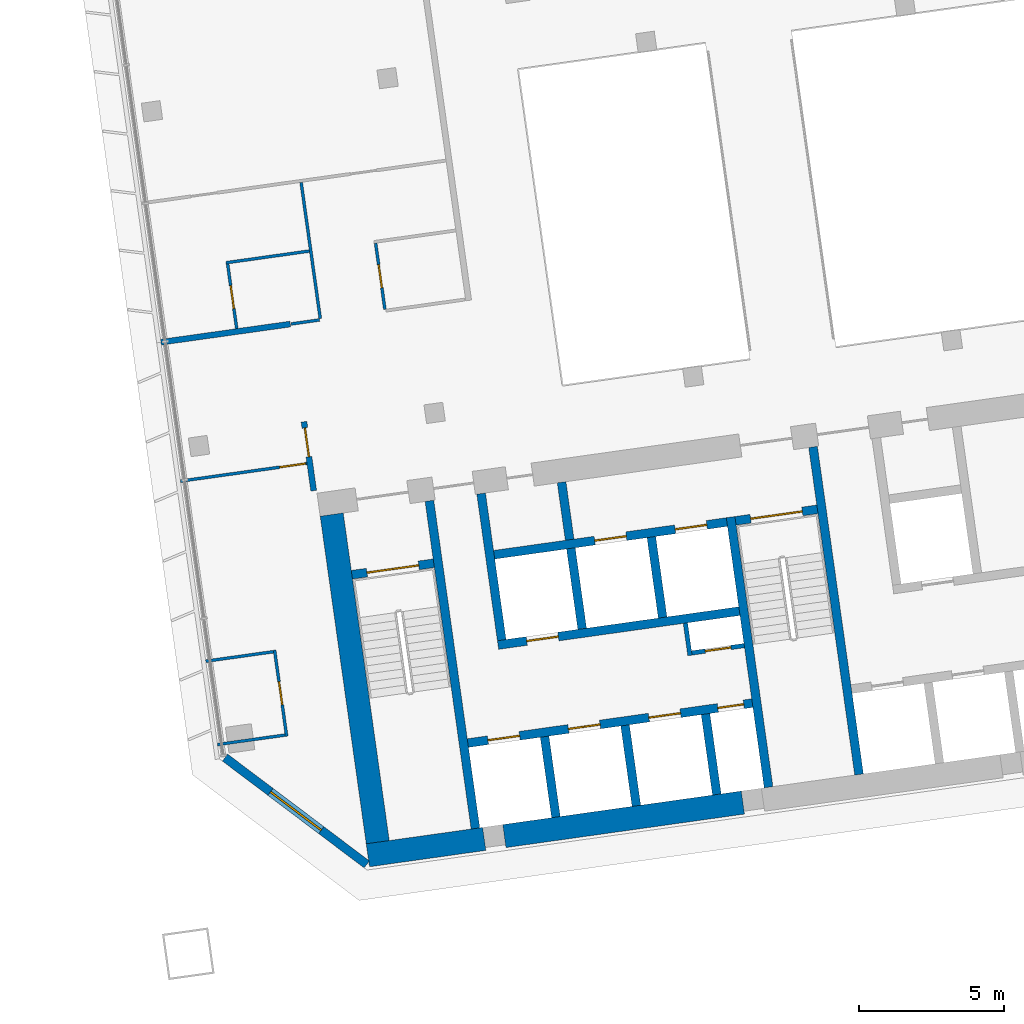
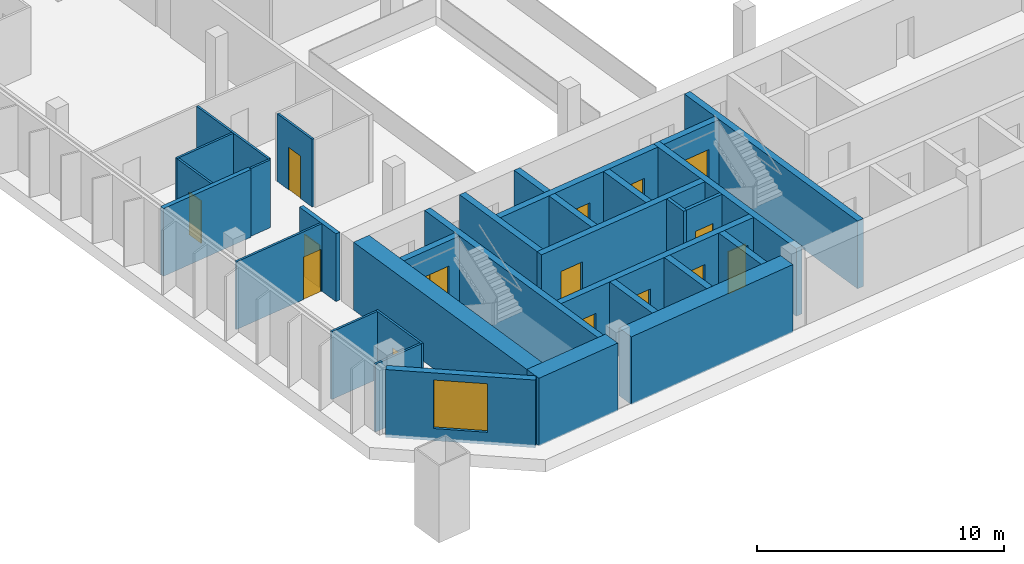
# One storey, part 18 of 24: 32 walls, 15 doors, 1 window, 16 openings.
"""IFC4 building model written with IfcOpenShell, lengths in metres."""

from ifc_helpers import new_model, si_unit, direction, frame, frame_2d, origin, place, context, subcontext, project, spatial, rectangle, extrude, material, layer, layer_set, type_object, element, fill, save


model = new_model("IFC4")

# Units and contexts
model_context = context("Model", 3, precision=1e-05, world=origin(), true_north=direction((0.0, 1.0)))
body_context = subcontext(model_context, "Body", "Model", "MODEL_VIEW")
ifc_project = project(units=[si_unit("LENGTHUNIT", "METRE"), si_unit("AREAUNIT", "SQUARE_METRE"), si_unit("VOLUMEUNIT", "CUBIC_METRE"), si_unit("PLANEANGLEUNIT", "RADIAN"), si_unit("MASSUNIT", "GRAM", prefix="KILO")], contexts=[model_context])

# Site, building, storey
site_placement = place(None, origin())
site = spatial("IfcSite", under=ifc_project, at=site_placement, CompositionType="ELEMENT")
building_placement = place(site_placement, origin())
building = spatial("IfcBuilding", under=site, at=building_placement, Name="Mirante Cascada Hotel Towers", CompositionType="ELEMENT")
storey_placement = place(building_placement, frame((0.0, 0.0, 110.1)))
storey = spatial("IfcBuildingStorey", under=building, at=storey_placement, Name="L24", CompositionType="ELEMENT", Elevation=110.1)

# Wall
ifc_material_1 = material(Name="Fire-rated plasterboard on metal studs")
ifc_layer_1 = layer(ifc_material_1, 0.2)
ifc_layer_set_1 = layer_set([ifc_layer_1], Name="Compartment wall 200 EI 120")
wall_type_1 = type_object("IfcWallType", Name="Compartment wall 200 EI 120", PredefinedType="PARTITIONING", material=ifc_layer_set_1)
wall_1_placement = place(storey_placement, frame((34.4562, -1.3737, 0.0), z_axis=(0.0, 0.0, 1.0), x_axis=(-0.9902674, -0.1391779, 0.0)))
element("IfcWall", 1, at=wall_1_placement, inside=storey, type_object=wall_type_1, Name="Wall 2-L24-08", PredefinedType="PARTITIONING", context=body_context, shape_type="SweptSolid", body=[
    extrude(rectangle(XDim=4.5, YDim=0.2, at=frame_2d((2.25, 0.0))), origin(), (0.0, 0.0, 1.0), 3.35),
])

# Wall, opening, door
wall_2_placement = place(storey_placement, frame((34.9294, -4.7406, 0.0), z_axis=(0.0, 0.0, 1.0), x_axis=(0.1391635, -0.9902694, 0.0)))
wall_2 = element("IfcWall", 2, at=wall_2_placement, inside=storey, type_object=wall_type_1, Name="Wall 2-L24-34", PredefinedType="PARTITIONING", context=body_context, shape_type="SweptSolid", body=[
    extrude(rectangle(XDim=2.4001, YDim=0.2, at=frame_2d((1.2, 0.0))), origin(), (0.0, 0.0, 1.0), 3.35),
])
opening_1_placement = place(wall_2_placement, frame((0.2167, 0.0, 0.0)))
opening_1 = element("IfcOpeningElement", 3, at=opening_1_placement, cuts=wall_2, Name="Opening D2-L24-28", PredefinedType="OPENING", context=body_context, shape_type="SweptSolid", body=[
    extrude(rectangle(XDim=1.0, YDim=2.1, at=frame_2d((0.5, 1.05))), frame((0.0, 0.1, 0.0), z_axis=(0.0, -1.0, 0.0), x_axis=(1.0, 0.0, 0.0)), (0.0, 0.0, 1.0), 0.2),
])
ifc_material_2 = material(Name="Fire-rated timber door leaf", Category="wood")
door_type_1 = type_object("IfcDoorType", Name="Entrance door DG1 1000x2100 EI 60", OperationType="SINGLE_SWING_LEFT", PredefinedType="DOOR", material=ifc_material_2)
door_1_placement = place(opening_1_placement, frame((1.0, 0.0, 0.0), z_axis=(0.0, 0.0, 1.0), x_axis=(-1.0, 0.0, 0.0)))
door_1 = element("IfcDoor", 4, at=door_1_placement, inside=storey, type_object=door_type_1, Name="Door D2-L24-28", OperationType="SINGLE_SWING_RIGHT", OverallHeight=2.1, OverallWidth=1.0, PredefinedType="DOOR", context=body_context, shape_type="SweptSolid", body=[
    extrude(rectangle(XDim=1.0, YDim=2.1, at=frame_2d((0.5, 1.05))), frame((0.0, 0.025, 0.0), z_axis=(0.0, -1.0, 0.0), x_axis=(1.0, 0.0, 0.0)), (0.0, 0.0, 1.0), 0.05),
])
fill(opening_1, door_1)

# Wall
ifc_material_3 = material(Name="Masonry block", Category="masonry")
ifc_layer_2 = layer(ifc_material_3, 0.15)
ifc_layer_set_2 = layer_set([ifc_layer_2], Name="Core room partition 150 block EI 30")
wall_type_2 = type_object("IfcWallType", Name="Core room partition 150 block EI 30", PredefinedType="PARTITIONING", material=ifc_layer_set_2)
wall_3_placement = place(storey_placement, frame((48.2295, -12.793, 0.0), z_axis=(0.0, 0.0, 1.0), x_axis=(-0.1391935, 0.9902652, 0.0)))
element("IfcWall", 5, at=wall_3_placement, inside=storey, type_object=wall_type_2, Name="Core wall partition T2 L24 2", PredefinedType="PARTITIONING", context=body_context, shape_type="SweptSolid", body=[
    extrude(rectangle(XDim=1.1251, YDim=0.15, at=frame_2d((0.5626, 0.0))), origin(), (0.0, 0.0, 1.0), 3.35),
])

# Wall, opening, door
wall_4_placement = place(storey_placement, frame((48.2933, -12.7083, 0.0), z_axis=(0.0, 0.0, 1.0), x_axis=(0.990268, 0.1391734, 0.0)))
wall_4 = element("IfcWall", 6, at=wall_4_placement, inside=storey, type_object=wall_type_2, Name="Core wall partition T2 L24 3", PredefinedType="PARTITIONING", context=body_context, shape_type="SweptSolid", body=[
    extrude(rectangle(XDim=1.8251, YDim=0.15, at=frame_2d((0.9126, 0.0))), origin(), (0.0, 0.0, 1.0), 3.35),
])
opening_2_placement = place(wall_4_placement, frame((0.4625, 0.0, 0.0)))
opening_2 = element("IfcOpeningElement", 7, at=opening_2_placement, cuts=wall_4, Name="Opening D2-24-C23", PredefinedType="OPENING", context=body_context, shape_type="SweptSolid", body=[
    extrude(rectangle(XDim=0.9, YDim=2.1, at=frame_2d((0.45, 1.05))), frame((0.0, 0.075, 0.0), z_axis=(0.0, -1.0, 0.0), x_axis=(1.0, 0.0, 0.0)), (0.0, 0.0, 1.0), 0.15),
])
ifc_material_4 = material(Name="Hollow metal fire door leaf")
door_type_2 = type_object("IfcDoorType", Name="Fire door 900x2100 FD60", OperationType="NOTDEFINED", PredefinedType="DOOR", material=ifc_material_4)
door_2_placement = place(opening_2_placement, frame((0.9, 0.0, 0.0), z_axis=(0.0, 0.0, 1.0), x_axis=(-1.0, 0.0, 0.0)))
door_2 = element("IfcDoor", 8, at=door_2_placement, inside=storey, type_object=door_type_2, Name="Riser door T2 L24 23", OperationType="SINGLE_SWING_RIGHT", OverallHeight=2.1, OverallWidth=0.9, PredefinedType="DOOR", context=body_context, shape_type="SweptSolid", body=[
    extrude(rectangle(XDim=0.9, YDim=2.1, at=frame_2d((0.45, 1.05))), frame((0.0, 0.025, 0.0), z_axis=(0.0, -1.0, 0.0), x_axis=(1.0, 0.0, 0.0)), (0.0, 0.0, 1.0), 0.05),
])
fill(opening_2, door_2)

# Walls
ifc_material_5 = material(Name="Masonry block", Category="masonry")
ifc_layer_3 = layer(ifc_material_5, 0.3)
ifc_layer_set_3 = layer_set([ifc_layer_3], Name="Core wall 300 block EI 120")
wall_type_3 = type_object("IfcWallType", Name="Core wall 300 block EI 120", PredefinedType="PARTITIONING", material=ifc_layer_set_3)
wall_5_placement = place(storey_placement, frame((44.0843, -8.8061, 0.0), z_axis=(0.0, 0.0, 1.0), x_axis=(-0.1391951, 0.990265, 0.0)))
element("IfcWall", 9, at=wall_5_placement, inside=storey, type_object=wall_type_3, Name="Core wall partition T2 L24 1", PredefinedType="PARTITIONING", context=body_context, shape_type="SweptSolid", body=[
    extrude(rectangle(XDim=2.0001, YDim=0.3, at=frame_2d((1.0001, 0.0))), origin(), (0.0, 0.0, 1.0), 3.35),
])
ifc_material_6 = material(Name="Plasterboard on metal studs")
ifc_layer_4 = layer(ifc_material_6, 0.1)
ifc_layer_set_4 = layer_set([ifc_layer_4], Name="Partition 100")
wall_type_4 = type_object("IfcWallType", Name="Partition 100", PredefinedType="PARTITIONING", material=ifc_layer_set_4)
for number, where, z_axis, x_axis, name in (
    (10, (34.2756, -15.5367, 0.0), (0.0, 0.0, 1.0), (-0.9902661, -0.139187, 0.0), "Wall 2-L24-02"),
    (11, (31.5448, -12.992, 0.0), (0.0, 0.0, 1.0), (0.9902661, 0.139187, 0.0), "Wall 2-L24-03"),
):
    element("IfcWall", number, at=place(storey_placement, frame(where, z_axis=z_axis, x_axis=x_axis)), inside=storey, type_object=wall_type_4, Name=name, PredefinedType="PARTITIONING", context=body_context, shape_type="SweptSolid", body=[
        extrude(rectangle(XDim=2.3501, YDim=0.1, at=frame_2d((1.175, 0.0))), origin(), (0.0, 0.0, 1.0), 3.35),
    ])

# Wall, opening, door
wall_6_placement = place(storey_placement, frame((35.0298, -6.1739, 0.0), z_axis=(0.0, 0.0, 1.0), x_axis=(-0.9902665, -0.1391841, 0.0)))
wall_6 = element("IfcWall", 12, at=wall_6_placement, inside=storey, type_object=wall_type_4, Name="Wall 2-L24-04", PredefinedType="PARTITIONING", context=body_context, shape_type="SweptSolid", body=[
    extrude(rectangle(XDim=4.3999, YDim=0.1, at=frame_2d((2.2, 0.0))), origin(), (0.0, 0.0, 1.0), 3.35),
])
opening_3_placement = place(wall_6_placement, frame((0.05, 0.0, 0.0)))
opening_3 = element("IfcOpeningElement", 13, at=opening_3_placement, cuts=wall_6, Name="Opening D2-L24-02", PredefinedType="OPENING", context=body_context, shape_type="SweptSolid", body=[
    extrude(rectangle(XDim=0.9, YDim=2.1, at=frame_2d((0.45, 1.05))), frame((0.0, 0.05, 0.0), z_axis=(0.0, -1.0, 0.0), x_axis=(1.0, 0.0, 0.0)), (0.0, 0.0, 1.0), 0.1),
])
ifc_material_7 = material(Name="Timber door leaf", Category="wood")
door_type_3 = type_object("IfcDoorType", Name="Room door DG3 900x2100", OperationType="SINGLE_SWING_LEFT", PredefinedType="DOOR", material=ifc_material_7)
door_3_placement = place(opening_3_placement, origin())
door_3 = element("IfcDoor", 14, at=door_3_placement, inside=storey, type_object=door_type_3, Name="Door D2-L24-02", OperationType="SINGLE_SWING_LEFT", OverallHeight=2.1, OverallWidth=0.9, PredefinedType="DOOR", context=body_context, shape_type="SweptSolid", body=[
    extrude(rectangle(XDim=0.9, YDim=2.1, at=frame_2d((0.45, 1.05))), frame((0.0, 0.025, 0.0), z_axis=(0.0, -1.0, 0.0), x_axis=(1.0, 0.0, 0.0)), (0.0, 0.0, 1.0), 0.05),
])
fill(opening_3, door_3)

# Walls
wall_7_placement = place(storey_placement, frame((34.4859, -1.3695, 0.0), z_axis=(0.0, 0.0, 1.0), x_axis=(0.9902801, 0.1390877, 0.0)))
element("IfcWall", 15, at=wall_7_placement, inside=storey, type_object=wall_type_4, Name="Wall 2-L24-09", PredefinedType="PARTITIONING", context=body_context, shape_type="SweptSolid", body=[
    extrude(rectangle(XDim=0.99, YDim=0.1, at=frame_2d((0.495, 0.0))), origin(), (0.0, 0.0, 1.0), 3.35),
])
wall_8_placement = place(storey_placement, frame((35.1125, 1.1421, 0.0), z_axis=(0.0, 0.0, 1.0), x_axis=(-0.9902683, -0.1391714, 0.0)))
element("IfcWall", 16, at=wall_8_placement, inside=storey, type_object=wall_type_4, Name="Wall 2-L24-12", PredefinedType="PARTITIONING", context=body_context, shape_type="SweptSolid", body=[
    extrude(rectangle(XDim=2.9, YDim=0.1, at=frame_2d((1.45, 0.0))), origin(), (0.0, 0.0, 1.0), 3.35),
])

# Wall, opening, door
wall_9_placement = place(storey_placement, frame((33.9145, -12.6084, 0.0), z_axis=(0.0, 0.0, 1.0), x_axis=(0.1391624, -0.9902696, 0.0)))
wall_9 = element("IfcWall", 17, at=wall_9_placement, inside=storey, type_object=wall_type_4, Name="Wall 2-L24-32", PredefinedType="PARTITIONING", context=body_context, shape_type="SweptSolid", body=[
    extrude(rectangle(XDim=3.0001, YDim=0.1, at=frame_2d((1.5001, 0.0))), origin(), (0.0, 0.0, 1.0), 3.35),
])
opening_4_placement = place(wall_9_placement, frame((1.1, 0.0, 0.0)))
opening_4 = element("IfcOpeningElement", 18, at=opening_4_placement, cuts=wall_9, Name="Opening D2-L24-26", PredefinedType="OPENING", context=body_context, shape_type="SweptSolid", body=[
    extrude(rectangle(XDim=0.8, YDim=2.1, at=frame_2d((0.4, 1.05))), frame((0.0, 0.05, 0.0), z_axis=(0.0, -1.0, 0.0), x_axis=(1.0, 0.0, 0.0)), (0.0, 0.0, 1.0), 0.1),
])
ifc_material_8 = material(Name="Timber door leaf", Category="wood")
door_type_4 = type_object("IfcDoorType", Name="Bathroom door DG4 800x2100", OperationType="SINGLE_SWING_LEFT", PredefinedType="DOOR", material=ifc_material_8)
door_4_placement = place(opening_4_placement, origin())
door_4 = element("IfcDoor", 19, at=door_4_placement, inside=storey, type_object=door_type_4, Name="Door D2-L24-26", OperationType="SINGLE_SWING_LEFT", OverallHeight=2.1, OverallWidth=0.8, PredefinedType="DOOR", context=body_context, shape_type="SweptSolid", body=[
    extrude(rectangle(XDim=0.8, YDim=2.1, at=frame_2d((0.4, 1.05))), frame((0.0, 0.025, 0.0), z_axis=(0.0, -1.0, 0.0), x_axis=(1.0, 0.0, 0.0)), (0.0, 0.0, 1.0), 0.05),
])
fill(opening_4, door_4)

wall_10_placement = place(storey_placement, frame((32.6103, -1.5322, 0.0), z_axis=(0.0, 0.0, 1.0), x_axis=(-0.1391561, 0.9902705, 0.0)))
wall_10 = element("IfcWall", 20, at=wall_10_placement, inside=storey, type_object=wall_type_4, Name="Wall 2-L24-33", PredefinedType="PARTITIONING", context=body_context, shape_type="SweptSolid", body=[
    extrude(rectangle(XDim=2.25, YDim=0.1, at=frame_2d((1.125, 0.0))), origin(), (0.0, 0.0, 1.0), 3.35),
])
opening_5_placement = place(wall_10_placement, frame((0.7, 0.0, 0.0)))
opening_5 = element("IfcOpeningElement", 21, at=opening_5_placement, cuts=wall_10, Name="Opening D2-L24-27", PredefinedType="OPENING", context=body_context, shape_type="SweptSolid", body=[
    extrude(rectangle(XDim=0.8, YDim=2.1, at=frame_2d((0.4, 1.05))), frame((0.0, 0.05, 0.0), z_axis=(0.0, -1.0, 0.0), x_axis=(1.0, 0.0, 0.0)), (0.0, 0.0, 1.0), 0.1),
])
door_5_placement = place(opening_5_placement, frame((0.8, 0.0, 0.0), z_axis=(0.0, 0.0, 1.0), x_axis=(-1.0, 0.0, 0.0)))
door_5 = element("IfcDoor", 22, at=door_5_placement, inside=storey, type_object=door_type_4, Name="Door D2-L24-27", OperationType="SINGLE_SWING_RIGHT", OverallHeight=2.1, OverallWidth=0.8, PredefinedType="DOOR", context=body_context, shape_type="SweptSolid", body=[
    extrude(rectangle(XDim=0.8, YDim=2.1, at=frame_2d((0.4, 1.05))), frame((0.0, 0.025, 0.0), z_axis=(0.0, -1.0, 0.0), x_axis=(1.0, 0.0, 0.0)), (0.0, 0.0, 1.0), 0.05),
])
fill(opening_5, door_5)

# Wall
wall_11_placement = place(storey_placement, frame((34.8303, 3.5092, 0.0), z_axis=(0.0, 0.0, 1.0), x_axis=(0.1391613, -0.9902697, 0.0)))
element("IfcWall", 23, at=wall_11_placement, inside=storey, type_object=wall_type_4, Name="Wall 2-L24-36", PredefinedType="PARTITIONING", context=body_context, shape_type="SweptSolid", body=[
    extrude(rectangle(XDim=4.7334, YDim=0.1, at=frame_2d((2.3667, 0.0))), origin(), (0.0, 0.0, 1.0), 3.35),
])

# Wall, opening, door
wall_12_placement = place(storey_placement, frame((37.7171, -0.8649, 0.0), z_axis=(0.0, 0.0, 1.0), x_axis=(-0.1391749, 0.9902678, 0.0)))
wall_12 = element("IfcWall", 24, at=wall_12_placement, inside=storey, type_object=wall_type_4, Name="Wall 2-L24-37", PredefinedType="PARTITIONING", context=body_context, shape_type="SweptSolid", body=[
    extrude(rectangle(XDim=2.3, YDim=0.1, at=frame_2d((1.15, 0.0))), origin(), (0.0, 0.0, 1.0), 3.35),
])
opening_6_placement = place(wall_12_placement, frame((0.75, 0.0, 0.0)))
opening_6 = element("IfcOpeningElement", 25, at=opening_6_placement, cuts=wall_12, Name="Opening D2-L24-30", PredefinedType="OPENING", context=body_context, shape_type="SweptSolid", body=[
    extrude(rectangle(XDim=0.8, YDim=2.1, at=frame_2d((0.4, 1.05))), frame((0.0, 0.05, 0.0), z_axis=(0.0, -1.0, 0.0), x_axis=(1.0, 0.0, 0.0)), (0.0, 0.0, 1.0), 0.1),
])
door_6_placement = place(opening_6_placement, frame((0.8, 0.0, 0.0), z_axis=(0.0, 0.0, 1.0), x_axis=(-1.0, 0.0, 0.0)))
door_6 = element("IfcDoor", 26, at=door_6_placement, inside=storey, type_object=door_type_4, Name="Door D2-L24-30", OperationType="SINGLE_SWING_RIGHT", OverallHeight=2.1, OverallWidth=0.8, PredefinedType="DOOR", context=body_context, shape_type="SweptSolid", body=[
    extrude(rectangle(XDim=0.8, YDim=2.1, at=frame_2d((0.4, 1.05))), frame((0.0, 0.025, 0.0), z_axis=(0.0, -1.0, 0.0), x_axis=(1.0, 0.0, 0.0)), (0.0, 0.0, 1.0), 0.05),
])
fill(opening_6, door_6)

# Wall, opening, window
ifc_material_9 = material(Name="Precast concrete C40/50", Category="concrete")
ifc_layer_5 = layer(ifc_material_9, 0.3)
ifc_layer_set_5 = layer_set([ifc_layer_5], Name="Precast concrete C40/50 cladding wall 300")
wall_type_5 = type_object("IfcWallType", Name="Precast concrete C40/50 cladding wall 300", PredefinedType="STANDARD", material=ifc_layer_set_5)
wall_13_placement = place(storey_placement, frame((32.2074, -16.3138, 0.0), z_axis=(0.0, 0.0, 1.0), x_axis=(0.7986362, -0.6018141, 0.0)))
wall_13 = element("IfcWall", 27, at=wall_13_placement, inside=storey, type_object=wall_type_5, Name="Corner cladding wall T2 L24 inner rear", PredefinedType="STANDARD", context=body_context, shape_type="SweptSolid", body=[
    extrude(rectangle(XDim=6.1157, YDim=0.3, at=frame_2d((3.0578, 0.0))), origin(), (0.0, 0.0, 1.0), 3.35),
])
opening_7_placement = place(wall_13_placement, frame((1.9578, 0.0, 0.6)))
opening_7 = element("IfcOpeningElement", 28, at=opening_7_placement, cuts=wall_13, Name="Opening W2-24-06", PredefinedType="OPENING", context=body_context, shape_type="SweptSolid", body=[
    extrude(rectangle(XDim=2.2, YDim=2.4, at=frame_2d((1.1, 1.2))), frame((0.0, 0.15, 0.0), z_axis=(0.0, -1.0, 0.0), x_axis=(1.0, 0.0, 0.0)), (0.0, 0.0, 1.0), 0.3),
])
ifc_material_10 = material(Name="Aluminium frame with clear double glazing", Category="aluminium")
window_type = type_object("IfcWindowType", Name="Corner suite window 2200x2400", PartitioningType="DOUBLE_PANEL_VERTICAL", PredefinedType="WINDOW", material=ifc_material_10)
window_placement = place(opening_7_placement, origin())
window = element("IfcWindow", 29, at=window_placement, inside=storey, type_object=window_type, Name="Window W2-24-06", OverallHeight=2.4, OverallWidth=2.2, PartitioningType="SINGLE_PANEL", PredefinedType="WINDOW", context=body_context, shape_type="SweptSolid", body=[
    extrude(rectangle(XDim=2.2, YDim=2.4, at=frame_2d((1.1, 1.2))), frame((0.0, 0.03, 0.0), z_axis=(0.0, -1.0, 0.0), x_axis=(1.0, 0.0, 0.0)), (0.0, 0.0, 1.0), 0.06),
])
fill(opening_7, window)

# Walls
ifc_material_11 = material(Name="Concrete C50/60", Category="concrete")
ifc_layer_6 = layer(ifc_material_11, 0.3)
ifc_layer_set_6 = layer_set([ifc_layer_6], Name="RC core wall 300 C50/60")
wall_type_6 = type_object("IfcWallType", Name="RC core wall 300 C50/60", PredefinedType="SHEAR", material=ifc_layer_set_6)
wall_14_placement = place(storey_placement, frame((40.8373, -18.7548, 0.0), z_axis=(0.0, 0.0, 1.0), x_axis=(-0.1391749, 0.9902678, 0.0)))
element("IfcWall", 30, at=wall_14_placement, inside=storey, type_object=wall_type_6, Name="Core wall T2:L24:5", PredefinedType="SHEAR", context=body_context, shape_type="SweptSolid", body=[
    extrude(rectangle(XDim=11.4, YDim=0.3, at=frame_2d((5.7, 0.0))), origin(), (0.0, 0.0, 1.0), 3.35),
])
wall_15_placement = place(storey_placement, frame((50.938, -17.3352, 0.0), z_axis=(0.0, 0.0, 1.0), x_axis=(-0.1391706, 0.9902684, 0.0)))
element("IfcWall", 31, at=wall_15_placement, inside=storey, type_object=wall_type_6, Name="Core wall T2:L24:6", PredefinedType="SHEAR", context=body_context, shape_type="SweptSolid", body=[
    extrude(rectangle(XDim=9.4, YDim=0.3, at=frame_2d((4.7, 0.0))), origin(), (0.0, 0.0, 1.0), 3.35),
])
wall_16_placement = place(storey_placement, frame((54.0574, -16.8968, 0.0), z_axis=(0.0, 0.0, 1.0), x_axis=(-0.1391761, 0.9902677, 0.0)))
element("IfcWall", 32, at=wall_16_placement, inside=storey, type_object=wall_type_6, Name="Core wall T2:L24:7", PredefinedType="SHEAR", context=body_context, shape_type="SweptSolid", body=[
    extrude(rectangle(XDim=11.3999, YDim=0.3, at=frame_2d((5.7, 0.0))), origin(), (0.0, 0.0, 1.0), 3.35),
])

# Wall, opening, door
wall_17_placement = place(storey_placement, frame((36.5791, -10.0123, 0.0), z_axis=(0.0, 0.0, 1.0), x_axis=(0.9902704, 0.1391564, 0.0)))
wall_17 = element("IfcWall", 33, at=wall_17_placement, inside=storey, type_object=wall_type_6, Name="Core wall T2:L24:9", PredefinedType="SHEAR", context=body_context, shape_type="SweptSolid", body=[
    extrude(rectangle(XDim=2.85, YDim=0.3, at=frame_2d((1.425, 0.0))), origin(), (0.0, 0.0, 1.0), 3.35),
])
opening_8_placement = place(wall_17_placement, frame((0.525, 0.0, 0.0)))
opening_8 = element("IfcOpeningElement", 34, at=opening_8_placement, cuts=wall_17, Name="Opening D2-24-C13", PredefinedType="OPENING", context=body_context, shape_type="SweptSolid", body=[
    extrude(rectangle(XDim=1.8, YDim=2.1, at=frame_2d((0.9, 1.05))), frame((0.0, 0.15, 0.0), z_axis=(0.0, -1.0, 0.0), x_axis=(1.0, 0.0, 0.0)), (0.0, 0.0, 1.0), 0.3),
])
ifc_material_12 = material(Name="Hollow metal fire door leaf")
door_type_5 = type_object("IfcDoorType", Name="Double fire door 1800x2100 FD60", OperationType="DOUBLE_DOOR_SINGLE_SWING", PredefinedType="DOOR", material=ifc_material_12)
door_7_placement = place(opening_8_placement, frame((1.8, 0.0, 0.0), z_axis=(0.0, 0.0, 1.0), x_axis=(-1.0, 0.0, 0.0)))
door_7 = element("IfcDoor", 35, at=door_7_placement, inside=storey, type_object=door_type_5, Name="Stair door T2 L24 13", OperationType="DOUBLE_DOOR_SINGLE_SWING", OverallHeight=2.1, OverallWidth=1.8, PredefinedType="DOOR", context=body_context, shape_type="SweptSolid", body=[
    extrude(rectangle(XDim=0.895, YDim=2.1, at=frame_2d((0.4475, 1.05))), frame((0.0, 0.025, 0.0), z_axis=(0.0, -1.0, 0.0), x_axis=(1.0, 0.0, 0.0)), (0.0, 0.0, 1.0), 0.05),
    extrude(rectangle(XDim=0.895, YDim=2.1, at=frame_2d((1.3525, 1.05))), frame((0.0, 0.025, 0.0), z_axis=(0.0, -1.0, 0.0), x_axis=(1.0, 0.0, 0.0)), (0.0, 0.0, 1.0), 0.05),
])
fill(opening_8, door_7)

wall_18_placement = place(storey_placement, frame((49.7992, -8.1544, 0.0), z_axis=(0.0, 0.0, 1.0), x_axis=(0.9902656, 0.1391909, 0.0)))
wall_18 = element("IfcWall", 36, at=wall_18_placement, inside=storey, type_object=wall_type_6, Name="Core wall T2:L24:10", PredefinedType="SHEAR", context=body_context, shape_type="SweptSolid", body=[
    extrude(rectangle(XDim=2.85, YDim=0.3, at=frame_2d((1.425, 0.0))), origin(), (0.0, 0.0, 1.0), 3.35),
])
opening_9_placement = place(wall_18_placement, frame((0.525, 0.0, 0.0)))
opening_9 = element("IfcOpeningElement", 37, at=opening_9_placement, cuts=wall_18, Name="Opening D2-24-C15", PredefinedType="OPENING", context=body_context, shape_type="SweptSolid", body=[
    extrude(rectangle(XDim=1.8, YDim=2.1, at=frame_2d((0.9, 1.05))), frame((0.0, 0.15, 0.0), z_axis=(0.0, -1.0, 0.0), x_axis=(1.0, 0.0, 0.0)), (0.0, 0.0, 1.0), 0.3),
])
door_8_placement = place(opening_9_placement, frame((1.8, 0.0, 0.0), z_axis=(0.0, 0.0, 1.0), x_axis=(-1.0, 0.0, 0.0)))
door_8 = element("IfcDoor", 38, at=door_8_placement, inside=storey, type_object=door_type_5, Name="Stair door T2 L24 15", OperationType="DOUBLE_DOOR_SINGLE_SWING", OverallHeight=2.1, OverallWidth=1.8, PredefinedType="DOOR", context=body_context, shape_type="SweptSolid", body=[
    extrude(rectangle(XDim=0.895, YDim=2.1, at=frame_2d((0.4475, 1.05))), frame((0.0, 0.025, 0.0), z_axis=(0.0, -1.0, 0.0), x_axis=(1.0, 0.0, 0.0)), (0.0, 0.0, 1.0), 0.05),
    extrude(rectangle(XDim=0.895, YDim=2.1, at=frame_2d((1.3525, 1.05))), frame((0.0, 0.025, 0.0), z_axis=(0.0, -1.0, 0.0), x_axis=(1.0, 0.0, 0.0)), (0.0, 0.0, 1.0), 0.05),
])
fill(opening_9, door_8)

# Wall, openings, doors
wall_19_placement = place(storey_placement, frame((40.5753, -15.8126, 0.0), z_axis=(0.0, 0.0, 1.0), x_axis=(0.9902682, 0.1391725, 0.0)))
wall_19 = element("IfcWall", 39, at=wall_19_placement, inside=storey, type_object=wall_type_6, Name="Core wall T2:L24:12", PredefinedType="SHEAR", context=body_context, shape_type="SweptSolid", body=[
    extrude(rectangle(XDim=9.8999, YDim=0.3, at=frame_2d((4.95, 0.0))), origin(), (0.0, 0.0, 1.0), 3.35),
])
opening_10_placement = place(wall_19_placement, frame((0.7, 0.0, 0.0)))
opening_10 = element("IfcOpeningElement", 40, at=opening_10_placement, cuts=wall_19, Name="Opening LD", PredefinedType="OPENING", context=body_context, shape_type="SweptSolid", body=[
    extrude(rectangle(XDim=1.1, YDim=2.1, at=frame_2d((0.55, 1.05))), frame((0.0, 0.15, 0.0), z_axis=(0.0, -1.0, 0.0), x_axis=(1.0, 0.0, 0.0)), (0.0, 0.0, 1.0), 0.3),
])
opening_11_placement = place(wall_19_placement, frame((3.5, 0.0, 0.0)))
opening_11 = element("IfcOpeningElement", 41, at=opening_11_placement, cuts=wall_19, Name="Opening LD", PredefinedType="OPENING", context=body_context, shape_type="SweptSolid", body=[
    extrude(rectangle(XDim=1.1, YDim=2.1, at=frame_2d((0.55, 1.05))), frame((0.0, 0.15, 0.0), z_axis=(0.0, -1.0, 0.0), x_axis=(1.0, 0.0, 0.0)), (0.0, 0.0, 1.0), 0.3),
])
opening_12_placement = place(wall_19_placement, frame((6.3, 0.0, 0.0)))
opening_12 = element("IfcOpeningElement", 42, at=opening_12_placement, cuts=wall_19, Name="Opening LD", PredefinedType="OPENING", context=body_context, shape_type="SweptSolid", body=[
    extrude(rectangle(XDim=1.1, YDim=2.1, at=frame_2d((0.55, 1.05))), frame((0.0, 0.15, 0.0), z_axis=(0.0, -1.0, 0.0), x_axis=(1.0, 0.0, 0.0)), (0.0, 0.0, 1.0), 0.3),
])
opening_13_placement = place(wall_19_placement, frame((8.7, 0.0, 0.0)))
opening_13 = element("IfcOpeningElement", 43, at=opening_13_placement, cuts=wall_19, Name="Opening D2-24-C22", PredefinedType="OPENING", context=body_context, shape_type="SweptSolid", body=[
    extrude(rectangle(XDim=0.9, YDim=2.1, at=frame_2d((0.45, 1.05))), frame((0.0, 0.15, 0.0), z_axis=(0.0, -1.0, 0.0), x_axis=(1.0, 0.0, 0.0)), (0.0, 0.0, 1.0), 0.3),
])
door_9_placement = place(opening_13_placement, frame((0.9, 0.0, 0.0), z_axis=(0.0, 0.0, 1.0), x_axis=(-1.0, 0.0, 0.0)))
door_9 = element("IfcDoor", 44, at=door_9_placement, inside=storey, type_object=door_type_2, Name="Riser door T2 L24 22", OperationType="SINGLE_SWING_RIGHT", OverallHeight=2.1, OverallWidth=0.9, PredefinedType="DOOR", context=body_context, shape_type="SweptSolid", body=[
    extrude(rectangle(XDim=0.9, YDim=2.1, at=frame_2d((0.45, 1.05))), frame((0.0, 0.025, 0.0), z_axis=(0.0, -1.0, 0.0), x_axis=(1.0, 0.0, 0.0)), (0.0, 0.0, 1.0), 0.05),
])
fill(opening_13, door_9)
ifc_material_13 = material(Name="Stainless steel", Category="steel")
door_type_6 = type_object("IfcDoorType", Name="Lift landing door 1100x2100 EI 120", OperationType="DOUBLE_DOOR_SLIDING", PredefinedType="DOOR", material=ifc_material_13)
door_10_placement = place(opening_10_placement, origin())
door_10 = element("IfcDoor", 45, at=door_10_placement, inside=storey, type_object=door_type_6, Name="Lift landing door HR2-1 L24", OperationType="DOUBLE_DOOR_SLIDING", OverallHeight=2.1, OverallWidth=1.1, PredefinedType="DOOR", context=body_context, shape_type="SweptSolid", body=[
    extrude(rectangle(XDim=0.545, YDim=2.1, at=frame_2d((0.2725, 1.05))), frame((0.0, 0.025, 0.0), z_axis=(0.0, -1.0, 0.0), x_axis=(1.0, 0.0, 0.0)), (0.0, 0.0, 1.0), 0.05),
    extrude(rectangle(XDim=0.545, YDim=2.1, at=frame_2d((0.8275, 1.05))), frame((0.0, 0.025, 0.0), z_axis=(0.0, -1.0, 0.0), x_axis=(1.0, 0.0, 0.0)), (0.0, 0.0, 1.0), 0.05),
])
fill(opening_10, door_10)
door_11_placement = place(opening_11_placement, origin())
door_11 = element("IfcDoor", 46, at=door_11_placement, inside=storey, type_object=door_type_6, Name="Lift landing door HR2-2 L24", OperationType="DOUBLE_DOOR_SLIDING", OverallHeight=2.1, OverallWidth=1.1, PredefinedType="DOOR", context=body_context, shape_type="SweptSolid", body=[
    extrude(rectangle(XDim=0.545, YDim=2.1, at=frame_2d((0.2725, 1.05))), frame((0.0, 0.025, 0.0), z_axis=(0.0, -1.0, 0.0), x_axis=(1.0, 0.0, 0.0)), (0.0, 0.0, 1.0), 0.05),
    extrude(rectangle(XDim=0.545, YDim=2.1, at=frame_2d((0.8275, 1.05))), frame((0.0, 0.025, 0.0), z_axis=(0.0, -1.0, 0.0), x_axis=(1.0, 0.0, 0.0)), (0.0, 0.0, 1.0), 0.05),
])
fill(opening_11, door_11)
door_12_placement = place(opening_12_placement, origin())
door_12 = element("IfcDoor", 47, at=door_12_placement, inside=storey, type_object=door_type_6, Name="Lift landing door HR2-3 L24", OperationType="DOUBLE_DOOR_SLIDING", OverallHeight=2.1, OverallWidth=1.1, PredefinedType="DOOR", context=body_context, shape_type="SweptSolid", body=[
    extrude(rectangle(XDim=0.545, YDim=2.1, at=frame_2d((0.2725, 1.05))), frame((0.0, 0.025, 0.0), z_axis=(0.0, -1.0, 0.0), x_axis=(1.0, 0.0, 0.0)), (0.0, 0.0, 1.0), 0.05),
    extrude(rectangle(XDim=0.545, YDim=2.1, at=frame_2d((0.8275, 1.05))), frame((0.0, 0.025, 0.0), z_axis=(0.0, -1.0, 0.0), x_axis=(1.0, 0.0, 0.0)), (0.0, 0.0, 1.0), 0.05),
])
fill(opening_12, door_12)

# Wall, opening, door
wall_20_placement = place(storey_placement, frame((41.6153, -12.435, 0.0), z_axis=(0.0, 0.0, 1.0), x_axis=(0.9902691, 0.139166, 0.0)))
wall_20 = element("IfcWall", 48, at=wall_20_placement, inside=storey, type_object=wall_type_6, Name="Core wall T2:L24:13", PredefinedType="SHEAR", context=body_context, shape_type="SweptSolid", body=[
    extrude(rectangle(XDim=8.4, YDim=0.3, at=frame_2d((4.2, 0.0))), origin(), (0.0, 0.0, 1.0), 3.35),
])
opening_14_placement = place(wall_20_placement, frame((1.0, 0.0, 0.0)))
opening_14 = element("IfcOpeningElement", 49, at=opening_14_placement, cuts=wall_20, Name="Opening LD", PredefinedType="OPENING", context=body_context, shape_type="SweptSolid", body=[
    extrude(rectangle(XDim=1.1, YDim=2.1, at=frame_2d((0.55, 1.05))), frame((0.0, 0.15, 0.0), z_axis=(0.0, -1.0, 0.0), x_axis=(1.0, 0.0, 0.0)), (0.0, 0.0, 1.0), 0.3),
])
door_13_placement = place(opening_14_placement, origin())
door_13 = element("IfcDoor", 50, at=door_13_placement, inside=storey, type_object=door_type_6, Name="Lift landing door HR2-4 L24", OperationType="DOUBLE_DOOR_SLIDING", OverallHeight=2.1, OverallWidth=1.1, PredefinedType="DOOR", context=body_context, shape_type="SweptSolid", body=[
    extrude(rectangle(XDim=0.545, YDim=2.1, at=frame_2d((0.2725, 1.05))), frame((0.0, 0.025, 0.0), z_axis=(0.0, -1.0, 0.0), x_axis=(1.0, 0.0, 0.0)), (0.0, 0.0, 1.0), 0.05),
    extrude(rectangle(XDim=0.545, YDim=2.1, at=frame_2d((0.8275, 1.05))), frame((0.0, 0.025, 0.0), z_axis=(0.0, -1.0, 0.0), x_axis=(1.0, 0.0, 0.0)), (0.0, 0.0, 1.0), 0.05),
])
fill(opening_14, door_13)

# Wall, openings, doors
wall_21_placement = place(storey_placement, frame((41.481, -9.3234, 0.0), z_axis=(0.0, 0.0, 1.0), x_axis=(0.9902679, 0.1391741, 0.0)))
wall_21 = element("IfcWall", 51, at=wall_21_placement, inside=storey, type_object=wall_type_6, Name="Core wall T2:L24:14", PredefinedType="SHEAR", context=body_context, shape_type="SweptSolid", body=[
    extrude(rectangle(XDim=8.0999, YDim=0.3, at=frame_2d((4.05, 0.0))), origin(), (0.0, 0.0, 1.0), 3.35),
])
opening_15_placement = place(wall_21_placement, frame((3.5, 0.0, 0.0)))
opening_15 = element("IfcOpeningElement", 52, at=opening_15_placement, cuts=wall_21, Name="Opening LD", PredefinedType="OPENING", context=body_context, shape_type="SweptSolid", body=[
    extrude(rectangle(XDim=1.1, YDim=2.1, at=frame_2d((0.55, 1.05))), frame((0.0, 0.15, 0.0), z_axis=(0.0, -1.0, 0.0), x_axis=(1.0, 0.0, 0.0)), (0.0, 0.0, 1.0), 0.3),
])
opening_16_placement = place(wall_21_placement, frame((6.3, 0.0, 0.0)))
opening_16 = element("IfcOpeningElement", 53, at=opening_16_placement, cuts=wall_21, Name="Opening LD", PredefinedType="OPENING", context=body_context, shape_type="SweptSolid", body=[
    extrude(rectangle(XDim=1.1, YDim=2.1, at=frame_2d((0.55, 1.05))), frame((0.0, 0.15, 0.0), z_axis=(0.0, -1.0, 0.0), x_axis=(1.0, 0.0, 0.0)), (0.0, 0.0, 1.0), 0.3),
])
door_14_placement = place(opening_15_placement, origin())
door_14 = element("IfcDoor", 54, at=door_14_placement, inside=storey, type_object=door_type_6, Name="Lift landing door FF3 L24", OperationType="DOUBLE_DOOR_SLIDING", OverallHeight=2.1, OverallWidth=1.1, PredefinedType="DOOR", context=body_context, shape_type="SweptSolid", body=[
    extrude(rectangle(XDim=0.545, YDim=2.1, at=frame_2d((0.2725, 1.05))), frame((0.0, 0.025, 0.0), z_axis=(0.0, -1.0, 0.0), x_axis=(1.0, 0.0, 0.0)), (0.0, 0.0, 1.0), 0.05),
    extrude(rectangle(XDim=0.545, YDim=2.1, at=frame_2d((0.8275, 1.05))), frame((0.0, 0.025, 0.0), z_axis=(0.0, -1.0, 0.0), x_axis=(1.0, 0.0, 0.0)), (0.0, 0.0, 1.0), 0.05),
])
fill(opening_15, door_14)
door_15_placement = place(opening_16_placement, origin())
door_15 = element("IfcDoor", 55, at=door_15_placement, inside=storey, type_object=door_type_6, Name="Lift landing door FF4 L24", OperationType="DOUBLE_DOOR_SLIDING", OverallHeight=2.1, OverallWidth=1.1, PredefinedType="DOOR", context=body_context, shape_type="SweptSolid", body=[
    extrude(rectangle(XDim=0.545, YDim=2.1, at=frame_2d((0.2725, 1.05))), frame((0.0, 0.025, 0.0), z_axis=(0.0, -1.0, 0.0), x_axis=(1.0, 0.0, 0.0)), (0.0, 0.0, 1.0), 0.05),
    extrude(rectangle(XDim=0.545, YDim=2.1, at=frame_2d((0.8275, 1.05))), frame((0.0, 0.025, 0.0), z_axis=(0.0, -1.0, 0.0), x_axis=(1.0, 0.0, 0.0)), (0.0, 0.0, 1.0), 0.05),
])
fill(opening_16, door_15)

# Walls
wall_22_placement = place(storey_placement, frame((43.61, -18.3651, 0.0), z_axis=(0.0, 0.0, 1.0), x_axis=(-0.1391459, 0.9902719, 0.0)))
element("IfcWall", 56, at=wall_22_placement, inside=storey, type_object=wall_type_6, Name="Core wall T2:L24:15", PredefinedType="SHEAR", context=body_context, shape_type="SweptSolid", body=[
    extrude(rectangle(XDim=2.7999, YDim=0.3, at=frame_2d((1.4, 0.0))), origin(), (0.0, 0.0, 1.0), 3.35),
])
wall_23_placement = place(storey_placement, frame((46.3828, -17.9754, 0.0), z_axis=(0.0, 0.0, 1.0), x_axis=(-0.139181, 0.990267, 0.0)))
element("IfcWall", 57, at=wall_23_placement, inside=storey, type_object=wall_type_6, Name="Core wall T2:L24:16", PredefinedType="SHEAR", context=body_context, shape_type="SweptSolid", body=[
    extrude(rectangle(XDim=2.8, YDim=0.3, at=frame_2d((1.4, 0.0))), origin(), (0.0, 0.0, 1.0), 3.35),
])
wall_24_placement = place(storey_placement, frame((49.1555, -17.5857, 0.0), z_axis=(0.0, 0.0, 1.0), x_axis=(-0.1391459, 0.9902719, 0.0)))
element("IfcWall", 58, at=wall_24_placement, inside=storey, type_object=wall_type_6, Name="Core wall T2:L24:17", PredefinedType="SHEAR", context=body_context, shape_type="SweptSolid", body=[
    extrude(rectangle(XDim=2.7999, YDim=0.3, at=frame_2d((1.4, 0.0))), origin(), (0.0, 0.0, 1.0), 3.35),
])
for number, where, z_axis, x_axis, name in (
    (59, (44.5157, -11.8759, 0.0), (0.0, 0.0, 1.0), (-0.139181, 0.990267, 0.0), "Core wall T2:L24:18"),
    (60, (47.2885, -11.4862, 0.0), (0.0, 0.0, 1.0), (-0.139181, 0.990267, 0.0), "Core wall T2:L24:19"),
):
    element("IfcWall", number, at=place(storey_placement, frame(where, z_axis=z_axis, x_axis=x_axis)), inside=storey, type_object=wall_type_6, Name=name, PredefinedType="SHEAR", context=body_context, shape_type="SweptSolid", body=[
        extrude(rectangle(XDim=2.8, YDim=0.3, at=frame_2d((1.4, 0.0))), origin(), (0.0, 0.0, 1.0), 3.35),
    ])
wall_25_placement = place(storey_placement, frame((41.743, -12.2656, 0.0), z_axis=(0.0, 0.0, 1.0), x_axis=(-0.1391755, 0.9902677, 0.0)))
element("IfcWall", 61, at=wall_25_placement, inside=storey, type_object=wall_type_6, Name="Core wall T2:L24:20", PredefinedType="SHEAR", context=body_context, shape_type="SweptSolid", body=[
    extrude(rectangle(XDim=5.1, YDim=0.3, at=frame_2d((2.55, 0.0))), origin(), (0.0, 0.0, 1.0), 3.35),
])
ifc_material_14 = material(Name="Concrete C50/60", Category="concrete")
ifc_layer_7 = layer(ifc_material_14, 0.8)
ifc_layer_set_7 = layer_set([ifc_layer_7], Name="RC core wall 800 C50/60")
wall_type_7 = type_object("IfcWallType", Name="RC core wall 800 C50/60", PredefinedType="SHEAR", material=ifc_layer_set_7)
wall_26_placement = place(storey_placement, frame((37.1299, -19.6798, 0.0), z_axis=(0.0, 0.0, 1.0), x_axis=(0.9902665, 0.1391845, 0.0)))
element("IfcWall", 62, at=wall_26_placement, inside=storey, type_object=wall_type_7, Name="Core wall T2:L24:1.1", PredefinedType="SHEAR", context=body_context, shape_type="SweptSolid", body=[
    extrude(rectangle(XDim=4.05, YDim=0.8, at=frame_2d((2.025, 0.0))), origin(), (0.0, 0.0, 1.0), 3.35),
])
wall_27_placement = place(storey_placement, frame((41.8337, -19.0187, 0.0), z_axis=(0.0, 0.0, 1.0), x_axis=(0.9902686, 0.1391692, 0.0)))
element("IfcWall", 63, at=wall_27_placement, inside=storey, type_object=wall_type_7, Name="Core wall T2:L24:1.2", PredefinedType="SHEAR", context=body_context, shape_type="SweptSolid", body=[
    extrude(rectangle(XDim=8.3, YDim=0.8, at=frame_2d((4.15, 0.0))), origin(), (0.0, 0.0, 1.0), 3.35),
])
wall_28_placement = place(storey_placement, frame((37.4704, -19.228, 0.0), z_axis=(0.0, 0.0, 1.0), x_axis=(-0.1391749, 0.9902678, 0.0)))
element("IfcWall", 64, at=wall_28_placement, inside=storey, type_object=wall_type_7, Name="Core wall T2:L24:3", PredefinedType="SHEAR", context=body_context, shape_type="SweptSolid", body=[
    extrude(rectangle(XDim=11.4, YDim=0.8, at=frame_2d((5.7, 0.0))), origin(), (0.0, 0.0, 1.0), 3.35),
])

save(model, "model.ifc")
